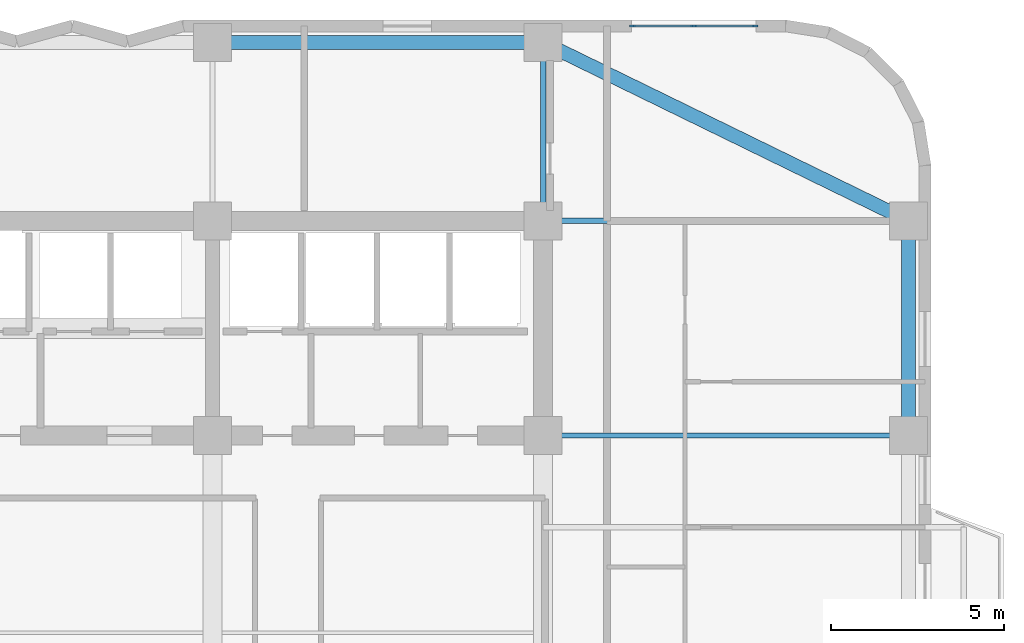
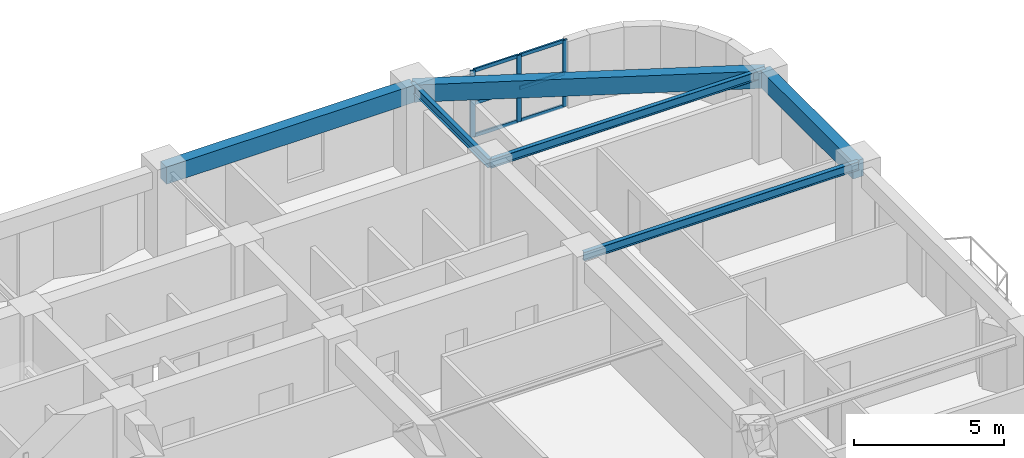
# One storey, part 6 of 15: 9 members, 6 beams, 1 element without a shape of its own.
"""IFC4 building model written with IfcOpenShell, lengths in metres."""

from ifc_helpers import new_model, si_unit, direction, frame, origin, origin_2d, place, context, subcontext, project, spatial, rectangle, i_section, extrude, material, material_profile, profile_set, type_object, element, aggregate, save


model = new_model("IFC4")

# Units and contexts
model_context = context("Model", 3, precision=1e-05, world=origin(), true_north=direction((0.0, 1.0)))
body_context = subcontext(model_context, "Body", "Model", "MODEL_VIEW")
ifc_project = project(units=[si_unit("LENGTHUNIT", "METRE"), si_unit("AREAUNIT", "SQUARE_METRE"), si_unit("VOLUMEUNIT", "CUBIC_METRE"), si_unit("PLANEANGLEUNIT", "RADIAN"), si_unit("MASSUNIT", "GRAM", prefix="KILO")], contexts=[model_context])

# Site, building, storey
site_placement = place(None, origin())
site = spatial("IfcSite", under=ifc_project, at=site_placement, CompositionType="ELEMENT")
building_placement = place(site_placement, origin())
building = spatial("IfcBuilding", under=site, at=building_placement, Name="Svetorya Sky Lyceum", CompositionType="ELEMENT")
storey_placement = place(building_placement, frame((0.0, 0.0, 99.39990234375)))
storey = spatial("IfcBuildingStorey", under=building, at=storey_placement, Name="L24", CompositionType="ELEMENT", Elevation=99.39990234375)

# Beams
ifc_material_1 = material(Name="Concrete C50/60", Category="concrete")
ifc_material_profile_1 = material_profile(ifc_material_1, rectangle(XDim=0.39990234375, YDim=0.699951171875, at=origin_2d()), Name="RC SPANDREL 400x700")
ifc_profile_set_1 = profile_set([ifc_material_profile_1], Name="Concrete C50/60")
beam_type_1 = type_object("IfcBeamType", Name="BM-SPN-700", PredefinedType="SPANDREL", material=ifc_profile_set_1)
beam_1_placement = place(storey_placement, frame((43.25, 50.949951171875, 3.070068359375), z_axis=(1.0, 0.0, 0.0), x_axis=(0.0, 1.0, 0.0)))
element("IfcBeam", 1, at=beam_1_placement, inside=storey, type_object=beam_type_1, Name="L24 North Spandrel 3", PredefinedType="SPANDREL", context=body_context, shape_type="SweptSolid", body=[
    extrude(rectangle(XDim=0.39990234375, YDim=0.699951171875, at=origin_2d()), origin(), (0.0, 0.0, 1.0), 9.550048828125),
])
beam_2_placement = place(storey_placement, frame((63.35009765625, 45.800048828125, 3.070068359375), z_axis=(-0.898649693653, 0.438666989978, 0.0), x_axis=(-0.438666989978, -0.898649693653, 0.0)))
element("IfcBeam", 2, at=beam_2_placement, inside=storey, type_object=beam_type_1, Name="L24 Corner Spandrel 3", PredefinedType="SPANDREL", context=body_context, shape_type="SweptSolid", body=[
    extrude(rectangle(XDim=0.39990234375, YDim=0.699951171875, at=origin_2d()), origin(), (0.0, 0.0, 1.0), 11.739990234375),
])
beam_3_placement = place(storey_placement, frame((63.35009765625, 39.60009765625, 3.070068359375), z_axis=(0.0, 1.0, 0.0), x_axis=(-1.0, 0.0, 0.0)))
element("IfcBeam", 3, at=beam_3_placement, inside=storey, type_object=beam_type_1, Name="L24 East Spandrel 4", PredefinedType="SPANDREL", context=body_context, shape_type="SweptSolid", body=[
    extrude(rectangle(XDim=0.39990234375, YDim=0.699951171875, at=origin_2d()), origin(), (0.0, 0.0, 1.0), 6.199951171875),
])
ifc_material_2 = material(Name="Steel S355", Category="steel")
ifc_material_profile_2 = material_profile(ifc_material_2, i_section(OverallWidth=0.155029296875, OverallDepth=0.34912109375, WebThickness=0.007080078125, FlangeThickness=0.011474609375, at=origin_2d()), Name="GOST 35B2")
ifc_profile_set_2 = profile_set([ifc_material_profile_2], Name="Steel S355")
beam_type_2 = type_object("IfcBeamType", Name="BM-STL-35B2", PredefinedType="JOIST", material=ifc_profile_set_2)
for number, where, z_axis, x_axis, name in (
    (4, (52.800048828125, 39.60009765625, 3.24560546875), (1.0, 0.0, 0.0), (0.0, 1.0, 0.0), "L24 East Wing Floor Joist E4"),
    (5, (52.800048828125, 45.800048828125, 3.24560546875), (1.0, 0.0, 0.0), (0.0, 1.0, 0.0), "L24 East Wing Floor Joist E5"),
):
    element("IfcBeam", number, at=place(storey_placement, frame(where, z_axis=z_axis, x_axis=x_axis)), inside=storey, type_object=beam_type_2, Name=name, PredefinedType="JOIST", context=body_context, shape_type="SweptSolid", body=[
        extrude(i_section(OverallWidth=0.155029296875, OverallDepth=0.34912109375, WebThickness=0.007080078125, FlangeThickness=0.011474609375, at=origin_2d()), origin(), (0.0, 0.0, 1.0), 10.550048828125),
    ])
beam_4_placement = place(storey_placement, frame((52.800048828125, 45.800048828125, 3.24560546875), z_axis=(0.0, 1.0, 0.0), x_axis=(-1.0, 0.0, 0.0)))
element("IfcBeam", 6, at=beam_4_placement, inside=storey, type_object=beam_type_2, Name="L24 North Bay Floor Girder N4", PredefinedType="JOIST", context=body_context, shape_type="SweptSolid", body=[
    extrude(i_section(OverallWidth=0.155029296875, OverallDepth=0.34912109375, WebThickness=0.007080078125, FlangeThickness=0.011474609375, at=origin_2d()), origin(), (0.0, 0.0, 1.0), 5.14990234375),
])

# Curtain wall, members
ifc_material_3 = material(Name="Thermally broken anodized aluminium and triple low-E glass", Category="aluminium")
curtain_wall_type = type_object("IfcCurtainWallType", Name="CW3-LOG-RES", PredefinedType="NOTDEFINED", material=ifc_material_3)
curtain_wall_placement = place(storey_placement, origin())
curtain_wall = element("IfcCurtainWall", 7, at=curtain_wall_placement, inside=storey, type_object=curtain_wall_type, Name="L24 Recessed Loggia Curtain Wall 29", PredefinedType="NOTDEFINED")
ifc_material_4 = material(Name="Thermally broken anodized aluminium EN AW-6060", Category="aluminium")
ifc_material_profile_3 = material_profile(ifc_material_4, rectangle(XDim=0.06494140625, YDim=0.179931640625, at=origin_2d()), Name="ALU MULLION 65x180")
ifc_profile_set_3 = profile_set([ifc_material_profile_3], Name="Thermally broken anodized aluminium EN AW-6060")
member_type_1 = type_object("IfcMemberType", Name="CWM-MUL-180", PredefinedType="MULLION", material=ifc_profile_set_3)
member_1_placement = place(storey_placement, frame((58.91748046875, 51.429931640625, 0.0), z_axis=(0.0, 0.0, 1.0), x_axis=(0.0, -1.0, 0.0)))
member_1 = element("IfcMember", 8, at=member_1_placement, type_object=member_type_1, Name="CW-3 mullion 1", PredefinedType="MULLION", context=body_context, shape_type="SweptSolid", body=[
    extrude(rectangle(XDim=0.06494140625, YDim=0.179931640625, at=origin_2d()), origin(), (0.0, 0.0, 1.0), 2.7001953125),
])
member_2_placement = place(storey_placement, frame((57.14990234375, 51.429931640625, 0.0), z_axis=(0.0, 0.0, 1.0), x_axis=(0.0, -1.0, 0.0)))
member_2 = element("IfcMember", 9, at=member_2_placement, type_object=member_type_1, Name="CW-3 mullion 2", PredefinedType="MULLION", context=body_context, shape_type="SweptSolid", body=[
    extrude(rectangle(XDim=0.06494140625, YDim=0.179931640625, at=origin_2d()), origin(), (0.0, 0.0, 1.0), 2.7001953125),
])
member_3_placement = place(storey_placement, frame((55.382568359375, 51.429931640625, 0.0), z_axis=(0.0, 0.0, 1.0), x_axis=(0.0, -1.0, 0.0)))
member_3 = element("IfcMember", 10, at=member_3_placement, type_object=member_type_1, Name="CW-3 mullion 3", PredefinedType="MULLION", context=body_context, shape_type="SweptSolid", body=[
    extrude(rectangle(XDim=0.06494140625, YDim=0.179931640625, at=origin_2d()), origin(), (0.0, 0.0, 1.0), 2.7001953125),
])
ifc_material_profile_4 = material_profile(ifc_material_4, rectangle(XDim=0.06494140625, YDim=0.139892578125, at=origin_2d()), Name="ALU TRANSOM 65x140")
ifc_profile_set_4 = profile_set([ifc_material_profile_4], Name="Thermally broken anodized aluminium EN AW-6060")
member_type_2 = type_object("IfcMemberType", Name="CWM-TRN-140", PredefinedType="USERDEFINED", material=ifc_profile_set_4)
member_4_placement = place(storey_placement, frame((58.886474609375, 51.429931640625, 0.03271484375), z_axis=(-1.0, 0.0, 0.0), x_axis=(0.0, -1.0, 0.0)))
member_4 = element("IfcMember", 11, at=member_4_placement, type_object=member_type_2, Name="CW-3 transom 1.1", ObjectType="TRANSOM", PredefinedType="USERDEFINED", context=body_context, shape_type="SweptSolid", body=[
    extrude(rectangle(XDim=0.06494140625, YDim=0.139892578125, at=origin_2d()), origin(), (0.0, 0.0, 1.0), 1.70556640625),
])
member_5_placement = place(storey_placement, frame((58.886474609375, 51.429931640625, 1.35009765625), z_axis=(-1.0, 0.0, 0.0), x_axis=(0.0, -1.0, 0.0)))
member_5 = element("IfcMember", 12, at=member_5_placement, type_object=member_type_2, Name="CW-3 transom 1.2", ObjectType="TRANSOM", PredefinedType="USERDEFINED", context=body_context, shape_type="SweptSolid", body=[
    extrude(rectangle(XDim=0.06494140625, YDim=0.139892578125, at=origin_2d()), origin(), (0.0, 0.0, 1.0), 1.70556640625),
])
member_6_placement = place(storey_placement, frame((58.886474609375, 51.429931640625, 2.66748046875), z_axis=(-1.0, 0.0, 0.0), x_axis=(0.0, -1.0, 0.0)))
member_6 = element("IfcMember", 13, at=member_6_placement, type_object=member_type_2, Name="CW-3 transom 1.3", ObjectType="TRANSOM", PredefinedType="USERDEFINED", context=body_context, shape_type="SweptSolid", body=[
    extrude(rectangle(XDim=0.06494140625, YDim=0.139892578125, at=origin_2d()), origin(), (0.0, 0.0, 1.0), 1.70556640625),
])
member_7_placement = place(storey_placement, frame((57.118896484375, 51.429931640625, 0.03271484375), z_axis=(-1.0, 0.0, 0.0), x_axis=(0.0, -1.0, 0.0)))
member_7 = element("IfcMember", 14, at=member_7_placement, type_object=member_type_2, Name="CW-3 transom 2.1", ObjectType="TRANSOM", PredefinedType="USERDEFINED", context=body_context, shape_type="SweptSolid", body=[
    extrude(rectangle(XDim=0.06494140625, YDim=0.139892578125, at=origin_2d()), origin(), (0.0, 0.0, 1.0), 1.705322265625),
])
member_8_placement = place(storey_placement, frame((57.118896484375, 51.429931640625, 1.35009765625), z_axis=(-1.0, 0.0, 0.0), x_axis=(0.0, -1.0, 0.0)))
member_8 = element("IfcMember", 15, at=member_8_placement, type_object=member_type_2, Name="CW-3 transom 2.2", ObjectType="TRANSOM", PredefinedType="USERDEFINED", context=body_context, shape_type="SweptSolid", body=[
    extrude(rectangle(XDim=0.06494140625, YDim=0.139892578125, at=origin_2d()), origin(), (0.0, 0.0, 1.0), 1.705322265625),
])
member_9_placement = place(storey_placement, frame((57.118896484375, 51.429931640625, 2.66748046875), z_axis=(-1.0, 0.0, 0.0), x_axis=(0.0, -1.0, 0.0)))
member_9 = element("IfcMember", 16, at=member_9_placement, type_object=member_type_2, Name="CW-3 transom 2.3", ObjectType="TRANSOM", PredefinedType="USERDEFINED", context=body_context, shape_type="SweptSolid", body=[
    extrude(rectangle(XDim=0.06494140625, YDim=0.139892578125, at=origin_2d()), origin(), (0.0, 0.0, 1.0), 1.705322265625),
])
aggregate(curtain_wall, [member_1, member_2, member_3, member_4, member_5, member_6, member_7, member_8, member_9])

save(model, "model.ifc")
